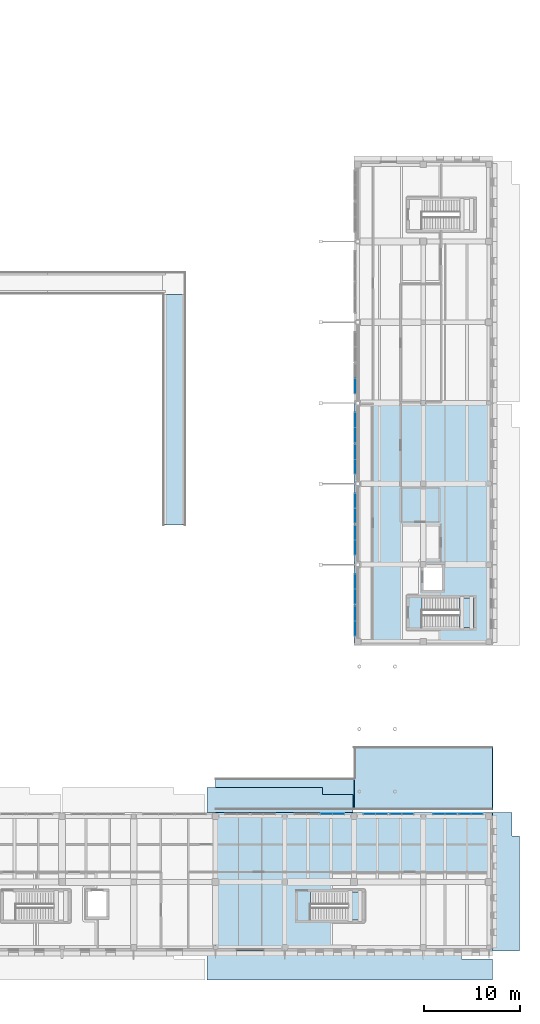
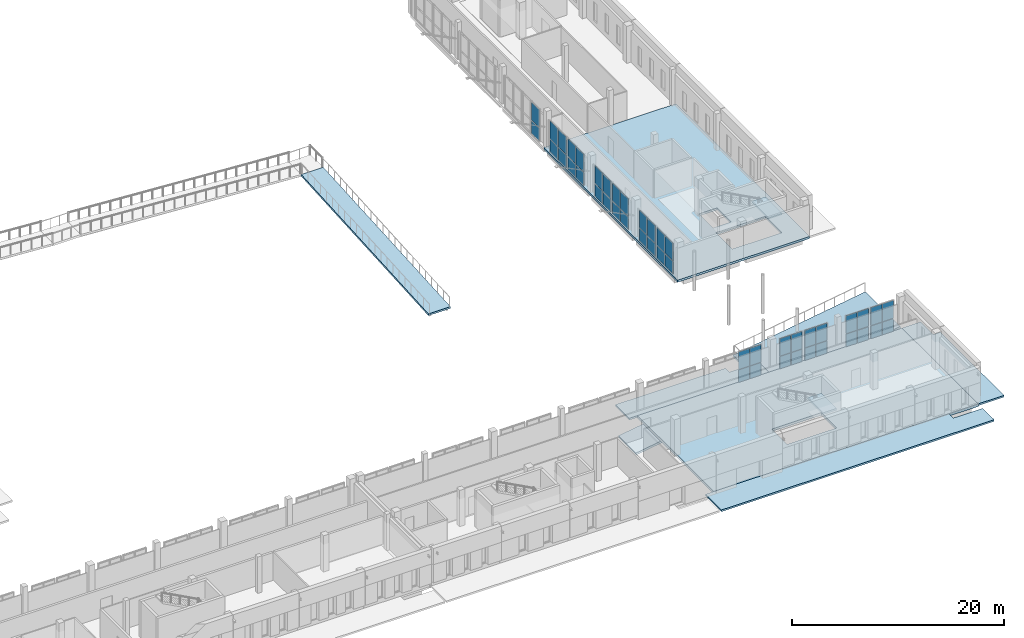
# One storey, part 45 of 77: 46 plates, 10 slabs, 14 elements without a shape of their own.
"""IFC4 building model written with IfcOpenShell, lengths in metres."""

from ifc_helpers import new_model, si_unit, direction, frame, origin, origin_2d, place, context, subcontext, project, spatial, polyline, rectangle, outline, extrude, material, layer, layer_set, type_object, element, aggregate, save


model = new_model("IFC4")

# Units and contexts
model_context = context("Model", 3, precision=1e-05, world=origin(), true_north=direction((0.0, 1.0)))
body_context = subcontext(model_context, "Body", "Model", "MODEL_VIEW")
ifc_project = project(units=[si_unit("LENGTHUNIT", "METRE"), si_unit("AREAUNIT", "SQUARE_METRE"), si_unit("VOLUMEUNIT", "CUBIC_METRE"), si_unit("PLANEANGLEUNIT", "RADIAN"), si_unit("MASSUNIT", "GRAM", prefix="KILO")], contexts=[model_context])

# Site, building, storey
site_placement = place(None, origin())
site = spatial("IfcSite", under=ifc_project, at=site_placement, CompositionType="ELEMENT")
building_placement = place(site_placement, origin())
building = spatial("IfcBuilding", under=site, at=building_placement, Name="Vardoun Plaza Health Centre", CompositionType="ELEMENT")
storey_placement = place(building_placement, origin())
storey = spatial("IfcBuildingStorey", under=building, at=storey_placement, Name="L00", CompositionType="ELEMENT", Elevation=0.0)

# Curtain wall, plates
ifc_material_1 = material(Name="Aluminium Alloy EN AW-6063-T6 and Low-E Glass", Category="aluminium")
ifc_layer_1 = layer(ifc_material_1, 0.14990234375)
ifc_layer_set_1 = layer_set([ifc_layer_1], Name="Aluminium Alloy EN AW-6063-T6 and Low-E Glass")
curtain_wall_type_1 = type_object("IfcCurtainWallType", Name="CW-03", PredefinedType="NOTDEFINED", material=ifc_layer_set_1)
curtain_wall_1_placement = place(storey_placement, origin())
curtain_wall_1 = element("IfcCurtainWall", 1, at=curtain_wall_1_placement, inside=storey, type_object=curtain_wall_type_1, Name="Curtain Wall CW-V5-144", PredefinedType="NOTDEFINED")
ifc_material_2 = material(Name="Solar-Control Double Low-E Glazing", Category="glass")
ifc_layer_2 = layer(ifc_material_2, 0.028076171875)
ifc_layer_set_2 = layer_set([ifc_layer_2], Name="Solar-Control Double Low-E Glazing")
plate_type_1 = type_object("IfcPlateType", Name="CW-P1", PredefinedType="CURTAIN_PANEL", material=ifc_layer_set_2)
plate_1_placement = place(storey_placement, frame((148.034912109375, 18.780029296875, 0.06005859375), z_axis=(0.0, 0.0, 1.0), x_axis=(1.0, 0.0, 0.0)))
plate_1 = element("IfcPlate", 2, at=plate_1_placement, type_object=plate_type_1, Name="CW-V5-144 panel 1.1", PredefinedType="CURTAIN_PANEL", context=body_context, shape_type="SweptSolid", body=[
    extrude(rectangle(XDim=1.18994140625, YDim=0.028076171875, at=origin_2d()), origin(), (0.0, 0.0, 1.0), 1.438720703125),
])
plate_2_placement = place(storey_placement, frame((148.034912109375, 18.780029296875, 1.55859375), z_axis=(0.0, 0.0, 1.0), x_axis=(1.0, 0.0, 0.0)))
plate_2 = element("IfcPlate", 3, at=plate_2_placement, type_object=plate_type_1, Name="CW-V5-144 panel 1.2", PredefinedType="CURTAIN_PANEL", context=body_context, shape_type="SweptSolid", body=[
    extrude(rectangle(XDim=1.18994140625, YDim=0.028076171875, at=origin_2d()), origin(), (0.0, 0.0, 1.0), 2.021240234375),
])
plate_3_placement = place(storey_placement, frame((149.284912109375, 18.780029296875, 0.06005859375), z_axis=(0.0, 0.0, 1.0), x_axis=(1.0, 0.0, 0.0)))
plate_3 = element("IfcPlate", 4, at=plate_3_placement, type_object=plate_type_1, Name="CW-V5-144 panel 2.1", PredefinedType="CURTAIN_PANEL", context=body_context, shape_type="SweptSolid", body=[
    extrude(rectangle(XDim=1.18994140625, YDim=0.028076171875, at=origin_2d()), origin(), (0.0, 0.0, 1.0), 1.438720703125),
])
plate_4_placement = place(storey_placement, frame((149.284912109375, 18.780029296875, 1.55859375), z_axis=(0.0, 0.0, 1.0), x_axis=(1.0, 0.0, 0.0)))
plate_4 = element("IfcPlate", 5, at=plate_4_placement, type_object=plate_type_1, Name="CW-V5-144 panel 2.2", PredefinedType="CURTAIN_PANEL", context=body_context, shape_type="SweptSolid", body=[
    extrude(rectangle(XDim=1.18994140625, YDim=0.028076171875, at=origin_2d()), origin(), (0.0, 0.0, 1.0), 2.021240234375),
])
aggregate(curtain_wall_1, [plate_1, plate_2, plate_3, plate_4])

curtain_wall_2_placement = place(storey_placement, origin())
curtain_wall_2 = element("IfcCurtainWall", 6, at=curtain_wall_2_placement, inside=storey, type_object=curtain_wall_type_1, Name="Curtain Wall CW-V5-145", PredefinedType="NOTDEFINED")
plate_5_placement = place(storey_placement, frame((152.514892578125, 18.780029296875, 0.06005859375), z_axis=(0.0, 0.0, 1.0), x_axis=(1.0, 0.0, 0.0)))
plate_5 = element("IfcPlate", 7, at=plate_5_placement, type_object=plate_type_1, Name="CW-V5-145 panel 1.1", PredefinedType="CURTAIN_PANEL", context=body_context, shape_type="SweptSolid", body=[
    extrude(rectangle(XDim=1.18994140625, YDim=0.028076171875, at=origin_2d()), origin(), (0.0, 0.0, 1.0), 1.417724609375),
])
plate_6_placement = place(storey_placement, frame((152.514892578125, 18.780029296875, 1.537841796875), z_axis=(0.0, 0.0, 1.0), x_axis=(1.0, 0.0, 0.0)))
plate_6 = element("IfcPlate", 8, at=plate_6_placement, type_object=plate_type_1, Name="CW-V5-145 panel 1.2", PredefinedType="CURTAIN_PANEL", context=body_context, shape_type="SweptSolid", body=[
    extrude(rectangle(XDim=1.18994140625, YDim=0.028076171875, at=origin_2d()), origin(), (0.0, 0.0, 1.0), 1.9921875),
])
plate_7_placement = place(storey_placement, frame((153.764892578125, 18.780029296875, 0.06005859375), z_axis=(0.0, 0.0, 1.0), x_axis=(1.0, 0.0, 0.0)))
plate_7 = element("IfcPlate", 9, at=plate_7_placement, type_object=plate_type_1, Name="CW-V5-145 panel 2.1", PredefinedType="CURTAIN_PANEL", context=body_context, shape_type="SweptSolid", body=[
    extrude(rectangle(XDim=1.18994140625, YDim=0.028076171875, at=origin_2d()), origin(), (0.0, 0.0, 1.0), 1.417724609375),
])
plate_8_placement = place(storey_placement, frame((153.764892578125, 18.780029296875, 1.537841796875), z_axis=(0.0, 0.0, 1.0), x_axis=(1.0, 0.0, 0.0)))
plate_8 = element("IfcPlate", 10, at=plate_8_placement, type_object=plate_type_1, Name="CW-V5-145 panel 2.2", PredefinedType="CURTAIN_PANEL", context=body_context, shape_type="SweptSolid", body=[
    extrude(rectangle(XDim=1.18994140625, YDim=0.028076171875, at=origin_2d()), origin(), (0.0, 0.0, 1.0), 1.9921875),
])
aggregate(curtain_wall_2, [plate_5, plate_6, plate_7, plate_8])

curtain_wall_3_placement = place(storey_placement, origin())
curtain_wall_3 = element("IfcCurtainWall", 11, at=curtain_wall_3_placement, inside=storey, type_object=curtain_wall_type_1, Name="Curtain Wall CW-V5-146", PredefinedType="NOTDEFINED")
plate_9_placement = place(storey_placement, frame((155.235107421875, 18.780029296875, 0.06005859375), z_axis=(0.0, 0.0, 1.0), x_axis=(1.0, 0.0, 0.0)))
plate_9 = element("IfcPlate", 12, at=plate_9_placement, type_object=plate_type_1, Name="CW-V5-146 panel 1.1", PredefinedType="CURTAIN_PANEL", context=body_context, shape_type="SweptSolid", body=[
    extrude(rectangle(XDim=1.18994140625, YDim=0.028076171875, at=origin_2d()), origin(), (0.0, 0.0, 1.0), 1.417724609375),
])
plate_10_placement = place(storey_placement, frame((155.235107421875, 18.780029296875, 1.537841796875), z_axis=(0.0, 0.0, 1.0), x_axis=(1.0, 0.0, 0.0)))
plate_10 = element("IfcPlate", 13, at=plate_10_placement, type_object=plate_type_1, Name="CW-V5-146 panel 1.2", PredefinedType="CURTAIN_PANEL", context=body_context, shape_type="SweptSolid", body=[
    extrude(rectangle(XDim=1.18994140625, YDim=0.028076171875, at=origin_2d()), origin(), (0.0, 0.0, 1.0), 1.9921875),
])
plate_11_placement = place(storey_placement, frame((156.485107421875, 18.780029296875, 0.06005859375), z_axis=(0.0, 0.0, 1.0), x_axis=(1.0, 0.0, 0.0)))
plate_11 = element("IfcPlate", 14, at=plate_11_placement, type_object=plate_type_1, Name="CW-V5-146 panel 2.1", PredefinedType="CURTAIN_PANEL", context=body_context, shape_type="SweptSolid", body=[
    extrude(rectangle(XDim=1.18994140625, YDim=0.028076171875, at=origin_2d()), origin(), (0.0, 0.0, 1.0), 1.417724609375),
])
plate_12_placement = place(storey_placement, frame((156.485107421875, 18.780029296875, 1.537841796875), z_axis=(0.0, 0.0, 1.0), x_axis=(1.0, 0.0, 0.0)))
plate_12 = element("IfcPlate", 15, at=plate_12_placement, type_object=plate_type_1, Name="CW-V5-146 panel 2.2", PredefinedType="CURTAIN_PANEL", context=body_context, shape_type="SweptSolid", body=[
    extrude(rectangle(XDim=1.18994140625, YDim=0.028076171875, at=origin_2d()), origin(), (0.0, 0.0, 1.0), 1.9921875),
])
aggregate(curtain_wall_3, [plate_9, plate_10, plate_11, plate_12])

curtain_wall_4_placement = place(storey_placement, origin())
curtain_wall_4 = element("IfcCurtainWall", 16, at=curtain_wall_4_placement, inside=storey, type_object=curtain_wall_type_1, Name="Curtain Wall CW-V5-147", PredefinedType="NOTDEFINED")
plate_13_placement = place(storey_placement, frame((159.715087890625, 18.780029296875, 0.06005859375), z_axis=(0.0, 0.0, 1.0), x_axis=(1.0, 0.0, 0.0)))
plate_13 = element("IfcPlate", 17, at=plate_13_placement, type_object=plate_type_1, Name="CW-V5-147 panel 1.1", PredefinedType="CURTAIN_PANEL", context=body_context, shape_type="SweptSolid", body=[
    extrude(rectangle(XDim=1.18994140625, YDim=0.028076171875, at=origin_2d()), origin(), (0.0, 0.0, 1.0), 1.459716796875),
])
plate_14_placement = place(storey_placement, frame((159.715087890625, 18.780029296875, 1.579833984375), z_axis=(0.0, 0.0, 1.0), x_axis=(1.0, 0.0, 0.0)))
plate_14 = element("IfcPlate", 18, at=plate_14_placement, type_object=plate_type_1, Name="CW-V5-147 panel 1.2", PredefinedType="CURTAIN_PANEL", context=body_context, shape_type="SweptSolid", body=[
    extrude(rectangle(XDim=1.18994140625, YDim=0.028076171875, at=origin_2d()), origin(), (0.0, 0.0, 1.0), 2.05029296875),
])
plate_15_placement = place(storey_placement, frame((160.965087890625, 18.780029296875, 0.06005859375), z_axis=(0.0, 0.0, 1.0), x_axis=(1.0, 0.0, 0.0)))
plate_15 = element("IfcPlate", 19, at=plate_15_placement, type_object=plate_type_1, Name="CW-V5-147 panel 2.1", PredefinedType="CURTAIN_PANEL", context=body_context, shape_type="SweptSolid", body=[
    extrude(rectangle(XDim=1.18994140625, YDim=0.028076171875, at=origin_2d()), origin(), (0.0, 0.0, 1.0), 1.459716796875),
])
plate_16_placement = place(storey_placement, frame((160.965087890625, 18.780029296875, 1.579833984375), z_axis=(0.0, 0.0, 1.0), x_axis=(1.0, 0.0, 0.0)))
plate_16 = element("IfcPlate", 20, at=plate_16_placement, type_object=plate_type_1, Name="CW-V5-147 panel 2.2", PredefinedType="CURTAIN_PANEL", context=body_context, shape_type="SweptSolid", body=[
    extrude(rectangle(XDim=1.18994140625, YDim=0.028076171875, at=origin_2d()), origin(), (0.0, 0.0, 1.0), 2.05029296875),
])
aggregate(curtain_wall_4, [plate_13, plate_14, plate_15, plate_16])

curtain_wall_5_placement = place(storey_placement, origin())
curtain_wall_5 = element("IfcCurtainWall", 21, at=curtain_wall_5_placement, inside=storey, type_object=curtain_wall_type_1, Name="Curtain Wall CW-V5-148", PredefinedType="NOTDEFINED")
plate_17_placement = place(storey_placement, frame((162.43505859375, 18.780029296875, 0.06005859375), z_axis=(0.0, 0.0, 1.0), x_axis=(1.0, 0.0, 0.0)))
plate_17 = element("IfcPlate", 22, at=plate_17_placement, type_object=plate_type_1, Name="CW-V5-148 panel 1.1", PredefinedType="CURTAIN_PANEL", context=body_context, shape_type="SweptSolid", body=[
    extrude(rectangle(XDim=1.18994140625, YDim=0.028076171875, at=origin_2d()), origin(), (0.0, 0.0, 1.0), 1.459716796875),
])
plate_18_placement = place(storey_placement, frame((162.43505859375, 18.780029296875, 1.579833984375), z_axis=(0.0, 0.0, 1.0), x_axis=(1.0, 0.0, 0.0)))
plate_18 = element("IfcPlate", 23, at=plate_18_placement, type_object=plate_type_1, Name="CW-V5-148 panel 1.2", PredefinedType="CURTAIN_PANEL", context=body_context, shape_type="SweptSolid", body=[
    extrude(rectangle(XDim=1.18994140625, YDim=0.028076171875, at=origin_2d()), origin(), (0.0, 0.0, 1.0), 2.05029296875),
])
plate_19_placement = place(storey_placement, frame((163.68505859375, 18.780029296875, 0.06005859375), z_axis=(0.0, 0.0, 1.0), x_axis=(1.0, 0.0, 0.0)))
plate_19 = element("IfcPlate", 24, at=plate_19_placement, type_object=plate_type_1, Name="CW-V5-148 panel 2.1", PredefinedType="CURTAIN_PANEL", context=body_context, shape_type="SweptSolid", body=[
    extrude(rectangle(XDim=1.18994140625, YDim=0.028076171875, at=origin_2d()), origin(), (0.0, 0.0, 1.0), 1.459716796875),
])
plate_20_placement = place(storey_placement, frame((163.68505859375, 18.780029296875, 1.579833984375), z_axis=(0.0, 0.0, 1.0), x_axis=(1.0, 0.0, 0.0)))
plate_20 = element("IfcPlate", 25, at=plate_20_placement, type_object=plate_type_1, Name="CW-V5-148 panel 2.2", PredefinedType="CURTAIN_PANEL", context=body_context, shape_type="SweptSolid", body=[
    extrude(rectangle(XDim=1.18994140625, YDim=0.028076171875, at=origin_2d()), origin(), (0.0, 0.0, 1.0), 2.05029296875),
])
aggregate(curtain_wall_5, [plate_17, plate_18, plate_19, plate_20])

ifc_material_3 = material(Name="Aluminium Alloy EN AW-6063-T6 and Low-E Glass", Category="aluminium")
ifc_layer_3 = layer(ifc_material_3, 0.179931640625)
ifc_layer_set_3 = layer_set([ifc_layer_3], Name="Aluminium Alloy EN AW-6063-T6 and Low-E Glass")
curtain_wall_type_2 = type_object("IfcCurtainWallType", Name="CW-01", PredefinedType="USERDEFINED", material=ifc_layer_set_3)
curtain_wall_6_placement = place(storey_placement, origin())
curtain_wall_6 = element("IfcCurtainWall", 26, at=curtain_wall_6_placement, inside=storey, type_object=curtain_wall_type_2, Name="Curtain Wall CW-V6-191", ObjectType="CONCOURSE_CURTAIN_WALL", PredefinedType="USERDEFINED")
ifc_material_4 = material(Name="Acoustic Laminated Double Low-E Glazing", Category="glass")
ifc_layer_4 = layer(ifc_material_4, 0.031982421875)
ifc_layer_set_4 = layer_set([ifc_layer_4], Name="Acoustic Laminated Double Low-E Glazing")
plate_type_2 = type_object("IfcPlateType", Name="CW-P2", PredefinedType="CURTAIN_PANEL", material=ifc_layer_set_4)
plate_21_placement = place(storey_placement, frame((151.02001953125, 38.066162109375, 0.06494140625), z_axis=(0.0, 0.0, 1.0), x_axis=(0.0, 1.0, 0.0)))
plate_21 = element("IfcPlate", 27, at=plate_21_placement, type_object=plate_type_2, Name="CW-V6-191 panel 1.1", PredefinedType="CURTAIN_PANEL", context=body_context, shape_type="SweptSolid", body=[
    extrude(rectangle(XDim=1.482421875, YDim=0.031982421875, at=origin_2d()), origin(), (0.0, 0.0, 1.0), 1.42919921875),
])
plate_22_placement = place(storey_placement, frame((151.02001953125, 38.066162109375, 1.559326171875), z_axis=(0.0, 0.0, 1.0), x_axis=(0.0, 1.0, 0.0)))
plate_22 = element("IfcPlate", 28, at=plate_22_placement, type_object=plate_type_2, Name="CW-V6-191 panel 1.2", PredefinedType="CURTAIN_PANEL", context=body_context, shape_type="SweptSolid", body=[
    extrude(rectangle(XDim=1.482421875, YDim=0.031982421875, at=origin_2d()), origin(), (0.0, 0.0, 1.0), 2.0107421875),
])
plate_23_placement = place(storey_placement, frame((151.02001953125, 39.61376953125, 0.06494140625), z_axis=(0.0, 0.0, 1.0), x_axis=(0.0, 1.0, 0.0)))
plate_23 = element("IfcPlate", 29, at=plate_23_placement, type_object=plate_type_2, Name="CW-V6-191 panel 2.1", PredefinedType="CURTAIN_PANEL", context=body_context, shape_type="SweptSolid", body=[
    extrude(rectangle(XDim=1.482421875, YDim=0.031982421875, at=origin_2d()), origin(), (0.0, 0.0, 1.0), 1.42919921875),
])
plate_24_placement = place(storey_placement, frame((151.02001953125, 39.61376953125, 1.559326171875), z_axis=(0.0, 0.0, 1.0), x_axis=(0.0, 1.0, 0.0)))
plate_24 = element("IfcPlate", 30, at=plate_24_placement, type_object=plate_type_2, Name="CW-V6-191 panel 2.2", PredefinedType="CURTAIN_PANEL", context=body_context, shape_type="SweptSolid", body=[
    extrude(rectangle(XDim=1.482421875, YDim=0.031982421875, at=origin_2d()), origin(), (0.0, 0.0, 1.0), 2.0107421875),
])
aggregate(curtain_wall_6, [plate_21, plate_22, plate_23, plate_24])

curtain_wall_7_placement = place(storey_placement, origin())
curtain_wall_7 = element("IfcCurtainWall", 31, at=curtain_wall_7_placement, inside=storey, type_object=curtain_wall_type_2, Name="Curtain Wall CW-V6-192", ObjectType="CONCOURSE_CURTAIN_WALL", PredefinedType="USERDEFINED")
plate_25_placement = place(storey_placement, frame((151.02001953125, 41.38623046875, 0.06494140625), z_axis=(0.0, 0.0, 1.0), x_axis=(0.0, 1.0, 0.0)))
plate_25 = element("IfcPlate", 32, at=plate_25_placement, type_object=plate_type_2, Name="CW-V6-192 panel 1.1", PredefinedType="CURTAIN_PANEL", context=body_context, shape_type="SweptSolid", body=[
    extrude(rectangle(XDim=1.482421875, YDim=0.031982421875, at=origin_2d()), origin(), (0.0, 0.0, 1.0), 1.42919921875),
])
plate_26_placement = place(storey_placement, frame((151.02001953125, 41.38623046875, 1.559326171875), z_axis=(0.0, 0.0, 1.0), x_axis=(0.0, 1.0, 0.0)))
plate_26 = element("IfcPlate", 33, at=plate_26_placement, type_object=plate_type_2, Name="CW-V6-192 panel 1.2", PredefinedType="CURTAIN_PANEL", context=body_context, shape_type="SweptSolid", body=[
    extrude(rectangle(XDim=1.482421875, YDim=0.031982421875, at=origin_2d()), origin(), (0.0, 0.0, 1.0), 2.0107421875),
])
plate_27_placement = place(storey_placement, frame((151.02001953125, 42.933837890625, 0.06494140625), z_axis=(0.0, 0.0, 1.0), x_axis=(0.0, 1.0, 0.0)))
plate_27 = element("IfcPlate", 34, at=plate_27_placement, type_object=plate_type_2, Name="CW-V6-192 panel 2.1", PredefinedType="CURTAIN_PANEL", context=body_context, shape_type="SweptSolid", body=[
    extrude(rectangle(XDim=1.482421875, YDim=0.031982421875, at=origin_2d()), origin(), (0.0, 0.0, 1.0), 1.42919921875),
])
plate_28_placement = place(storey_placement, frame((151.02001953125, 42.933837890625, 1.559326171875), z_axis=(0.0, 0.0, 1.0), x_axis=(0.0, 1.0, 0.0)))
plate_28 = element("IfcPlate", 35, at=plate_28_placement, type_object=plate_type_2, Name="CW-V6-192 panel 2.2", PredefinedType="CURTAIN_PANEL", context=body_context, shape_type="SweptSolid", body=[
    extrude(rectangle(XDim=1.482421875, YDim=0.031982421875, at=origin_2d()), origin(), (0.0, 0.0, 1.0), 2.0107421875),
])
aggregate(curtain_wall_7, [plate_25, plate_26, plate_27, plate_28])

curtain_wall_8_placement = place(storey_placement, origin())
curtain_wall_8 = element("IfcCurtainWall", 36, at=curtain_wall_8_placement, inside=storey, type_object=curtain_wall_type_2, Name="Curtain Wall CW-V6-193", ObjectType="CONCOURSE_CURTAIN_WALL", PredefinedType="USERDEFINED")
plate_29_placement = place(storey_placement, frame((151.02001953125, 46.46630859375, 0.06494140625), z_axis=(0.0, 0.0, 1.0), x_axis=(0.0, 1.0, 0.0)))
plate_29 = element("IfcPlate", 37, at=plate_29_placement, type_object=plate_type_2, Name="CW-V6-193 panel 1.1", PredefinedType="CURTAIN_PANEL", context=body_context, shape_type="SweptSolid", body=[
    extrude(rectangle(XDim=1.482421875, YDim=0.031982421875, at=origin_2d()), origin(), (0.0, 0.0, 1.0), 1.4375),
])
plate_30_placement = place(storey_placement, frame((151.02001953125, 46.46630859375, 1.567626953125), z_axis=(0.0, 0.0, 1.0), x_axis=(0.0, 1.0, 0.0)))
plate_30 = element("IfcPlate", 38, at=plate_30_placement, type_object=plate_type_2, Name="CW-V6-193 panel 1.2", PredefinedType="CURTAIN_PANEL", context=body_context, shape_type="SweptSolid", body=[
    extrude(rectangle(XDim=1.482421875, YDim=0.031982421875, at=origin_2d()), origin(), (0.0, 0.0, 1.0), 2.0224609375),
])
plate_31_placement = place(storey_placement, frame((151.02001953125, 48.013671875, 0.06494140625), z_axis=(0.0, 0.0, 1.0), x_axis=(0.0, 1.0, 0.0)))
plate_31 = element("IfcPlate", 39, at=plate_31_placement, type_object=plate_type_2, Name="CW-V6-193 panel 2.1", PredefinedType="CURTAIN_PANEL", context=body_context, shape_type="SweptSolid", body=[
    extrude(rectangle(XDim=1.482421875, YDim=0.031982421875, at=origin_2d()), origin(), (0.0, 0.0, 1.0), 1.4375),
])
plate_32_placement = place(storey_placement, frame((151.02001953125, 48.013671875, 1.567626953125), z_axis=(0.0, 0.0, 1.0), x_axis=(0.0, 1.0, 0.0)))
plate_32 = element("IfcPlate", 40, at=plate_32_placement, type_object=plate_type_2, Name="CW-V6-193 panel 2.2", PredefinedType="CURTAIN_PANEL", context=body_context, shape_type="SweptSolid", body=[
    extrude(rectangle(XDim=1.482421875, YDim=0.031982421875, at=origin_2d()), origin(), (0.0, 0.0, 1.0), 2.0224609375),
])
aggregate(curtain_wall_8, [plate_29, plate_30, plate_31, plate_32])

curtain_wall_9_placement = place(storey_placement, origin())
curtain_wall_9 = element("IfcCurtainWall", 41, at=curtain_wall_9_placement, inside=storey, type_object=curtain_wall_type_2, Name="Curtain Wall CW-V6-194", ObjectType="CONCOURSE_CURTAIN_WALL", PredefinedType="USERDEFINED")
plate_33_placement = place(storey_placement, frame((151.02001953125, 49.7861328125, 0.06494140625), z_axis=(0.0, 0.0, 1.0), x_axis=(0.0, 1.0, 0.0)))
plate_33 = element("IfcPlate", 42, at=plate_33_placement, type_object=plate_type_2, Name="CW-V6-194 panel 1.1", PredefinedType="CURTAIN_PANEL", context=body_context, shape_type="SweptSolid", body=[
    extrude(rectangle(XDim=1.482421875, YDim=0.031982421875, at=origin_2d()), origin(), (0.0, 0.0, 1.0), 1.4375),
])
plate_34_placement = place(storey_placement, frame((151.02001953125, 49.7861328125, 1.567626953125), z_axis=(0.0, 0.0, 1.0), x_axis=(0.0, 1.0, 0.0)))
plate_34 = element("IfcPlate", 43, at=plate_34_placement, type_object=plate_type_2, Name="CW-V6-194 panel 1.2", PredefinedType="CURTAIN_PANEL", context=body_context, shape_type="SweptSolid", body=[
    extrude(rectangle(XDim=1.482421875, YDim=0.031982421875, at=origin_2d()), origin(), (0.0, 0.0, 1.0), 2.0224609375),
])
plate_35_placement = place(storey_placement, frame((151.02001953125, 51.333740234375, 0.06494140625), z_axis=(0.0, 0.0, 1.0), x_axis=(0.0, 1.0, 0.0)))
plate_35 = element("IfcPlate", 44, at=plate_35_placement, type_object=plate_type_2, Name="CW-V6-194 panel 2.1", PredefinedType="CURTAIN_PANEL", context=body_context, shape_type="SweptSolid", body=[
    extrude(rectangle(XDim=1.482421875, YDim=0.031982421875, at=origin_2d()), origin(), (0.0, 0.0, 1.0), 1.4375),
])
plate_36_placement = place(storey_placement, frame((151.02001953125, 51.333740234375, 1.567626953125), z_axis=(0.0, 0.0, 1.0), x_axis=(0.0, 1.0, 0.0)))
plate_36 = element("IfcPlate", 45, at=plate_36_placement, type_object=plate_type_2, Name="CW-V6-194 panel 2.2", PredefinedType="CURTAIN_PANEL", context=body_context, shape_type="SweptSolid", body=[
    extrude(rectangle(XDim=1.482421875, YDim=0.031982421875, at=origin_2d()), origin(), (0.0, 0.0, 1.0), 2.0224609375),
])
aggregate(curtain_wall_9, [plate_33, plate_34, plate_35, plate_36])

curtain_wall_10_placement = place(storey_placement, origin())
curtain_wall_10 = element("IfcCurtainWall", 46, at=curtain_wall_10_placement, inside=storey, type_object=curtain_wall_type_2, Name="Curtain Wall CW-V6-195", ObjectType="CONCOURSE_CURTAIN_WALL", PredefinedType="USERDEFINED")
plate_37_placement = place(storey_placement, frame((151.02001953125, 54.8662109375, 0.06494140625), z_axis=(0.0, 0.0, 1.0), x_axis=(0.0, 1.0, 0.0)))
plate_37 = element("IfcPlate", 47, at=plate_37_placement, type_object=plate_type_2, Name="CW-V6-195 panel 1.1", PredefinedType="CURTAIN_PANEL", context=body_context, shape_type="SweptSolid", body=[
    extrude(rectangle(XDim=1.482421875, YDim=0.031982421875, at=origin_2d()), origin(), (0.0, 0.0, 1.0), 1.4501953125),
])
plate_38_placement = place(storey_placement, frame((151.02001953125, 54.8662109375, 1.580078125), z_axis=(0.0, 0.0, 1.0), x_axis=(0.0, 1.0, 0.0)))
plate_38 = element("IfcPlate", 48, at=plate_38_placement, type_object=plate_type_2, Name="CW-V6-195 panel 1.2", PredefinedType="CURTAIN_PANEL", context=body_context, shape_type="SweptSolid", body=[
    extrude(rectangle(XDim=1.482421875, YDim=0.031982421875, at=origin_2d()), origin(), (0.0, 0.0, 1.0), 2.039794921875),
])
plate_39_placement = place(storey_placement, frame((151.02001953125, 56.413818359375, 0.06494140625), z_axis=(0.0, 0.0, 1.0), x_axis=(0.0, 1.0, 0.0)))
plate_39 = element("IfcPlate", 49, at=plate_39_placement, type_object=plate_type_2, Name="CW-V6-195 panel 2.1", PredefinedType="CURTAIN_PANEL", context=body_context, shape_type="SweptSolid", body=[
    extrude(rectangle(XDim=1.482421875, YDim=0.031982421875, at=origin_2d()), origin(), (0.0, 0.0, 1.0), 1.4501953125),
])
plate_40_placement = place(storey_placement, frame((151.02001953125, 56.413818359375, 1.580078125), z_axis=(0.0, 0.0, 1.0), x_axis=(0.0, 1.0, 0.0)))
plate_40 = element("IfcPlate", 50, at=plate_40_placement, type_object=plate_type_2, Name="CW-V6-195 panel 2.2", PredefinedType="CURTAIN_PANEL", context=body_context, shape_type="SweptSolid", body=[
    extrude(rectangle(XDim=1.482421875, YDim=0.031982421875, at=origin_2d()), origin(), (0.0, 0.0, 1.0), 2.039794921875),
])
aggregate(curtain_wall_10, [plate_37, plate_38, plate_39, plate_40])

curtain_wall_11_placement = place(storey_placement, origin())
curtain_wall_11 = element("IfcCurtainWall", 51, at=curtain_wall_11_placement, inside=storey, type_object=curtain_wall_type_2, Name="Curtain Wall CW-V6-196", ObjectType="CONCOURSE_CURTAIN_WALL", PredefinedType="USERDEFINED")
plate_41_placement = place(storey_placement, frame((151.02001953125, 58.186279296875, 0.06494140625), z_axis=(0.0, 0.0, 1.0), x_axis=(0.0, 1.0, 0.0)))
plate_41 = element("IfcPlate", 52, at=plate_41_placement, type_object=plate_type_2, Name="CW-V6-196 panel 1.1", PredefinedType="CURTAIN_PANEL", context=body_context, shape_type="SweptSolid", body=[
    extrude(rectangle(XDim=1.482421875, YDim=0.031982421875, at=origin_2d()), origin(), (0.0, 0.0, 1.0), 1.4501953125),
])
plate_42_placement = place(storey_placement, frame((151.02001953125, 58.186279296875, 1.580078125), z_axis=(0.0, 0.0, 1.0), x_axis=(0.0, 1.0, 0.0)))
plate_42 = element("IfcPlate", 53, at=plate_42_placement, type_object=plate_type_2, Name="CW-V6-196 panel 1.2", PredefinedType="CURTAIN_PANEL", context=body_context, shape_type="SweptSolid", body=[
    extrude(rectangle(XDim=1.482421875, YDim=0.031982421875, at=origin_2d()), origin(), (0.0, 0.0, 1.0), 2.039794921875),
])
plate_43_placement = place(storey_placement, frame((151.02001953125, 59.733642578125, 0.06494140625), z_axis=(0.0, 0.0, 1.0), x_axis=(0.0, 1.0, 0.0)))
plate_43 = element("IfcPlate", 54, at=plate_43_placement, type_object=plate_type_2, Name="CW-V6-196 panel 2.1", PredefinedType="CURTAIN_PANEL", context=body_context, shape_type="SweptSolid", body=[
    extrude(rectangle(XDim=1.482421875, YDim=0.031982421875, at=origin_2d()), origin(), (0.0, 0.0, 1.0), 1.4501953125),
])
plate_44_placement = place(storey_placement, frame((151.02001953125, 59.733642578125, 1.580078125), z_axis=(0.0, 0.0, 1.0), x_axis=(0.0, 1.0, 0.0)))
plate_44 = element("IfcPlate", 55, at=plate_44_placement, type_object=plate_type_2, Name="CW-V6-196 panel 2.2", PredefinedType="CURTAIN_PANEL", context=body_context, shape_type="SweptSolid", body=[
    extrude(rectangle(XDim=1.482421875, YDim=0.031982421875, at=origin_2d()), origin(), (0.0, 0.0, 1.0), 2.039794921875),
])
aggregate(curtain_wall_11, [plate_41, plate_42, plate_43, plate_44])

curtain_wall_12_placement = place(storey_placement, origin())
curtain_wall_12 = element("IfcCurtainWall", 56, at=curtain_wall_12_placement, inside=storey, type_object=curtain_wall_type_2, Name="Curtain Wall CW-V6-197", ObjectType="CONCOURSE_CURTAIN_WALL", PredefinedType="USERDEFINED")
plate_45_placement = place(storey_placement, frame((151.02001953125, 63.266357421875, 0.06494140625), z_axis=(0.0, 0.0, 1.0), x_axis=(0.0, 1.0, 0.0)))
plate_45 = element("IfcPlate", 57, at=plate_45_placement, type_object=plate_type_2, Name="CW-V6-197 panel 1.1", PredefinedType="CURTAIN_PANEL", context=body_context, shape_type="SweptSolid", body=[
    extrude(rectangle(XDim=1.482421875, YDim=0.031982421875, at=origin_2d()), origin(), (0.0, 0.0, 1.0), 1.47119140625),
])
plate_46_placement = place(storey_placement, frame((151.02001953125, 63.266357421875, 1.60107421875), z_axis=(0.0, 0.0, 1.0), x_axis=(0.0, 1.0, 0.0)))
plate_46 = element("IfcPlate", 58, at=plate_46_placement, type_object=plate_type_2, Name="CW-V6-197 panel 1.2", PredefinedType="CURTAIN_PANEL", context=body_context, shape_type="SweptSolid", body=[
    extrude(rectangle(XDim=1.482421875, YDim=0.031982421875, at=origin_2d()), origin(), (0.0, 0.0, 1.0), 2.06884765625),
])
aggregate(curtain_wall_12, [plate_45, plate_46])

# Stair, slab
ifc_material_5 = material(Name="Concrete C35/45", Category="concrete")
stair_type = type_object("IfcStairType", Name="ST-01", PredefinedType="HALF_TURN_STAIR", material=ifc_material_5)
stair_1_placement = place(storey_placement, origin())
stair_1 = element("IfcStair", 59, at=stair_1_placement, inside=storey, type_object=stair_type, Name="Core C10 L00 Exit Stair ST-C10-L00", PredefinedType="HALF_TURN_STAIR")
ifc_material_6 = material(Name="Concrete C35/45", Category="concrete")
ifc_layer_5 = layer(ifc_material_6, 0.199951171875)
ifc_layer_set_5 = layer_set([ifc_layer_5], Name="Concrete C35/45")
slab_type_1 = type_object("IfcSlabType", Name="SL-LD", PredefinedType="LANDING", material=ifc_layer_set_5)
slab_1_placement = place(storey_placement, frame((0.0, 0.0, 2.050048828125)))
slab_1 = element("IfcSlab", 60, at=slab_1_placement, type_object=slab_type_1, Name="ST-C10-L00 landing 1", PredefinedType="LANDING", context=body_context, shape_type="SweptSolid", body=[
    extrude(outline(polyline([(161.869384765625, 38.14990234375), (163.35009765625, 38.14990234375), (163.35009765625, 41.25), (161.869384765625, 41.25), (161.869384765625, 38.14990234375)])), origin(), (0.0, 0.0, 1.0), 0.199951171875),
])
aggregate(stair_1, [slab_1])

stair_2_placement = place(storey_placement, origin())
stair_2 = element("IfcStair", 61, at=stair_2_placement, inside=storey, type_object=stair_type, Name="Core C9 L00 Exit Stair ST-C9-L00", PredefinedType="HALF_TURN_STAIR")
slab_2_placement = place(storey_placement, frame((0.0, 0.0, 2.050048828125)))
slab_2 = element("IfcSlab", 62, at=slab_2_placement, type_object=slab_type_1, Name="ST-C9-L00 landing 1", PredefinedType="LANDING", context=body_context, shape_type="SweptSolid", body=[
    extrude(outline(polyline([(150.269287109375, 7.75), (151.75, 7.75), (151.75, 10.64990234375), (150.269287109375, 10.64990234375), (150.269287109375, 7.75)])), origin(), (0.0, 0.0, 1.0), 0.199951171875),
])
aggregate(stair_2, [slab_2])

# Slabs
ifc_material_7 = material(Name="Pale Limestone Concrete C35/45", Category="masonry")
ifc_layer_6 = layer(ifc_material_7, 0.2099609375)
ifc_layer_set_6 = layer_set([ifc_layer_6], Name="Pale Limestone Concrete C35/45")
slab_type_2 = type_object("IfcSlabType", Name="SL-R2", PredefinedType="USERDEFINED", material=ifc_layer_set_6)
slab_3_placement = place(storey_placement, frame((131.0, 72.800048828125, -3.0), z_axis=(0.0, -0.062378286155, 0.998052578483), x_axis=(1.0, 0.0, 0.0)))
element("IfcSlab", 63, at=slab_3_placement, inside=storey, type_object=slab_type_2, Name="Forecourt Accessible Ramp AR-03", ObjectType="ACCESSIBLE_RAMP", PredefinedType="USERDEFINED", context=body_context, shape_type="SweptSolid", body=[
    extrude(outline(polyline([(0.0, 0.0), (2.39990234375, 0.0), (2.39990234375, -24.046829312822094), (0.0, -24.046829312822094), (0.0, 0.0)])), origin(), (0.0, 0.0, -1.0), 0.2099609375),
])
ifc_material_8 = material(Name="Concrete C35/45", Category="concrete")
ifc_layer_7 = layer(ifc_material_8, 0.25)
ifc_layer_set_7 = layer_set([ifc_layer_7], Name="Concrete C35/45")
slab_type_3 = type_object("IfcSlabType", Name="SL-01", PredefinedType="FLOOR", material=ifc_layer_set_7)
slab_4_placement = place(storey_placement, frame((0.0, 0.0, -0.25)))
element("IfcSlab", 64, at=slab_4_placement, inside=storey, type_object=slab_type_3, Name="V6 L00 Structural Slab S", PredefinedType="FLOOR", context=body_context, shape_type="SweptSolid", body=[
    extrude(outline(polyline([(150.89990234375, 36.300048828125), (165.300048828125, 36.300048828125), (165.300048828125, 61.5), (150.89990234375, 61.5), (150.89990234375, 36.300048828125)]), holes=[polyline([(157.95068359375, 38.14990234375), (163.35009765625, 38.14990234375), (163.35009765625, 41.25), (157.95068359375, 41.25), (157.95068359375, 38.14990234375)]), polyline([(158.1201171875, 42.070068359375), (160.080078125, 42.070068359375), (160.080078125, 44.72998046875), (158.1201171875, 44.72998046875), (158.1201171875, 42.070068359375)])]), origin(), (0.0, 0.0, 1.0), 0.25),
])
ifc_material_9 = material(Name="Concrete C35/45", Category="concrete")
ifc_layer_8 = layer(ifc_material_9, 0.294921875)
ifc_layer_set_8 = layer_set([ifc_layer_8], Name="Concrete C35/45")
slab_type_4 = type_object("IfcSlabType", Name="SL-04", PredefinedType="FLOOR", material=ifc_layer_set_8)
slab_5_placement = place(storey_placement, frame((0.0, 0.0, -0.294921875)))
element("IfcSlab", 65, at=slab_5_placement, inside=storey, type_object=slab_type_4, Name="V5 L00 Structural Slab B", PredefinedType="FLOOR", context=body_context, shape_type="SweptSolid", body=[
    extrude(outline(polyline([(136.5, 4.5), (165.300048828125, 4.5), (165.300048828125, 18.89990234375), (136.5, 18.89990234375), (136.5, 4.5)]), holes=[polyline([(146.3505859375, 7.75), (151.75, 7.75), (151.75, 10.64990234375), (146.3505859375, 10.64990234375), (146.3505859375, 7.75)])]), origin(), (0.0, 0.0, 1.0), 0.294921875),
])
ifc_material_10 = material(Name="Concrete C35/45", Category="concrete")
ifc_layer_9 = layer(ifc_material_10, 0.2451171875)
ifc_layer_set_9 = layer_set([ifc_layer_9], Name="Concrete C35/45")
slab_type_5 = type_object("IfcSlabType", Name="SL-R1", PredefinedType="USERDEFINED", material=ifc_layer_set_9)
slab_6_placement = place(storey_placement, frame((165.300048828125, 19.199951171875, 0.0), z_axis=(-0.154375347312, 0.0, 0.988012273275), x_axis=(0.0, 1.0, 0.0)))
element("IfcSlab", 66, at=slab_6_placement, inside=storey, type_object=slab_type_5, Name="Basement Vehicle Ramp Upper Flight", ObjectType="VEHICLE_RAMP", PredefinedType="USERDEFINED", context=body_context, shape_type="SweptSolid", body=[
    extrude(outline(polyline([(0.0, 0.0), (6.60009765625, 0.0), (6.60009765625, 14.574865994974283), (0.0, 14.574865994974283), (0.0, 0.0)])), origin(), (0.0, 0.0, -1.0), 0.2451171875),
])
slab_7_placement = place(storey_placement, frame((150.89990234375, 19.199951171875, -2.25), z_axis=(-0.154377902265, 0.0, 0.988011874064), x_axis=(0.0, 1.0, 0.0)))
element("IfcSlab", 67, at=slab_7_placement, inside=storey, type_object=slab_type_5, Name="Basement Vehicle Ramp Lower Flight", ObjectType="VEHICLE_RAMP", PredefinedType="USERDEFINED", context=body_context, shape_type="SweptSolid", body=[
    extrude(outline(polyline([(0.0, 0.0), (3.300048828125, 0.0), (3.300048828125, 14.574624781089108), (0.0, 14.574624781089108), (0.0, 0.0)])), origin(), (0.0, 0.0, -1.0), 0.2451171875),
])
ifc_material_11 = material(Name="Pale Limestone Concrete C35/45", Category="masonry")
ifc_layer_10 = layer(ifc_material_11, 0.169921875)
ifc_layer_set_10 = layer_set([ifc_layer_10], Name="Pale Limestone Concrete C35/45")
slab_type_6 = type_object("IfcSlabType", Name="SL-T2", PredefinedType="USERDEFINED", material=ifc_layer_set_10)
slab_8_placement = place(storey_placement, frame((0.0, 0.0, -0.199951171875)))
element("IfcSlab", 68, at=slab_8_placement, inside=storey, type_object=slab_type_6, Name="Ground Plaza Paving Apron PZ-S6", ObjectType="PAVING", PredefinedType="USERDEFINED", context=body_context, shape_type="SweptSolid", body=[
    extrude(outline(polyline([(135.60009765625, 1.5), (165.300048828125, 1.5), (165.300048828125, 3.659912109375), (162.10009765625, 3.659912109375), (162.10009765625, 4.5), (135.60009765625, 4.5), (135.60009765625, 1.5)])), origin(), (0.0, 0.0, 1.0), 0.199951171875),
])
slab_9_placement = place(storey_placement, frame((0.0, 0.0, -0.199951171875)))
element("IfcSlab", 69, at=slab_9_placement, inside=storey, type_object=slab_type_6, Name="Ground Plaza Paving Apron PZ-E1", ObjectType="PAVING", PredefinedType="USERDEFINED", context=body_context, shape_type="SweptSolid", body=[
    extrude(outline(polyline([(165.300048828125, 4.5), (168.10009765625, 4.5), (168.10009765625, 16.5), (167.31591796875, 16.5), (167.31591796875, 18.89990234375), (165.300048828125, 18.89990234375), (165.300048828125, 4.5)])), origin(), (0.0, 0.0, 1.0), 0.199951171875),
])
slab_10_placement = place(storey_placement, frame((0.0, 0.0, -0.199951171875)))
element("IfcSlab", 70, at=slab_10_placement, inside=storey, type_object=slab_type_6, Name="Ground Plaza Paving Apron PZ-C14", ObjectType="PAVING", PredefinedType="USERDEFINED", context=body_context, shape_type="SweptSolid", body=[
    extrude(outline(polyline([(135.60009765625, 18.89990234375), (150.800048828125, 18.89990234375), (150.800048828125, 20.77197265625), (147.60009765625, 20.77197265625), (147.60009765625, 21.5), (135.60009765625, 21.5), (135.60009765625, 18.89990234375)])), origin(), (0.0, 0.0, 1.0), 0.199951171875),
])

save(model, "model.ifc")
